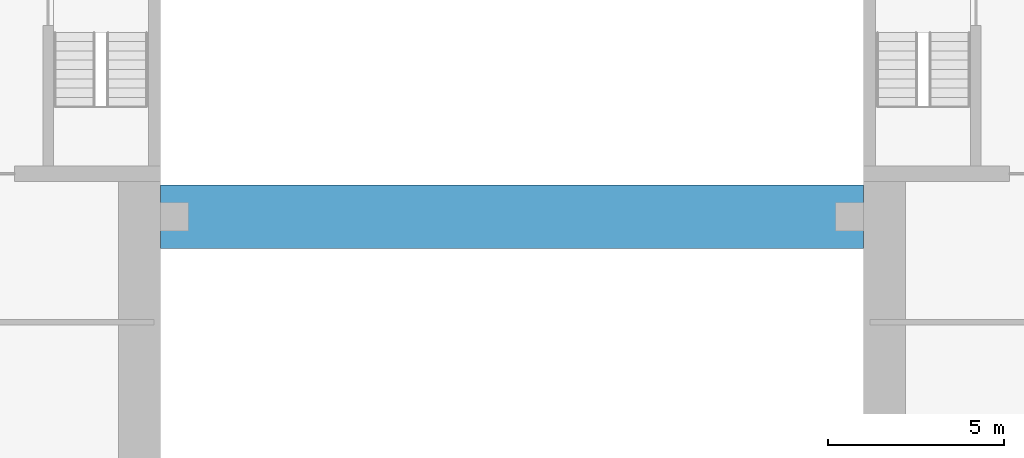
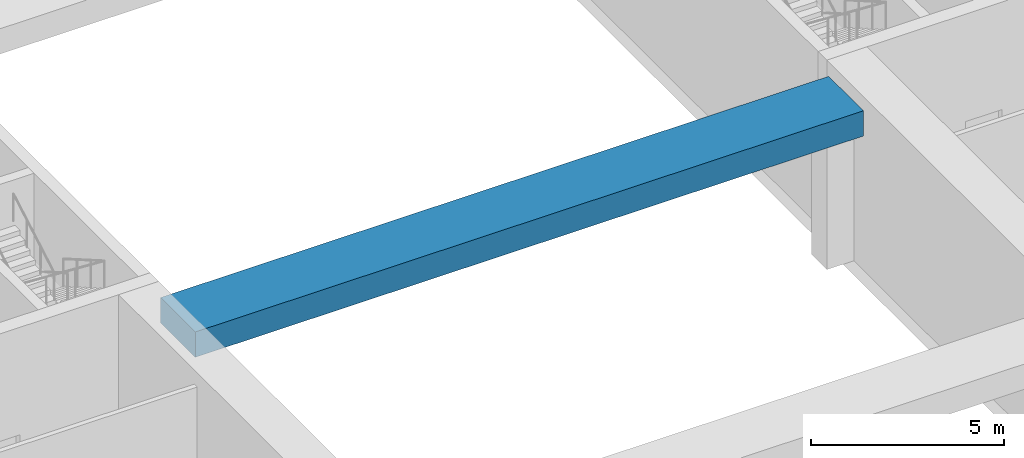
# One storey, part 8 of 30: 1 beam.
"""IFC4 building model written with IfcOpenShell, lengths in metres."""

from ifc_helpers import new_model, si_unit, direction, frame, origin, origin_2d, place, context, subcontext, project, spatial, rectangle, extrude, material, material_profile, profile_set, type_object, element, save


model = new_model("IFC4")

# Units and contexts
model_context = context("Model", 3, precision=1e-05, world=origin(), true_north=direction((0.0, 1.0)))
body_context = subcontext(model_context, "Body", "Model", "MODEL_VIEW")
ifc_project = project(units=[si_unit("LENGTHUNIT", "METRE"), si_unit("AREAUNIT", "SQUARE_METRE"), si_unit("VOLUMEUNIT", "CUBIC_METRE"), si_unit("PLANEANGLEUNIT", "RADIAN"), si_unit("MASSUNIT", "GRAM", prefix="KILO")], contexts=[model_context])

# Site, building, storey
site_placement = place(None, origin())
site = spatial("IfcSite", under=ifc_project, at=site_placement, CompositionType="ELEMENT")
building_placement = place(site_placement, origin())
building = spatial("IfcBuilding", under=site, at=building_placement, Name="Torana Hotel and Residences", CompositionType="ELEMENT")
storey_placement = place(building_placement, frame((0.0, 0.0, 12.5)))
storey = spatial("IfcBuildingStorey", under=building, at=storey_placement, Name="L02", CompositionType="ELEMENT", Elevation=12.5)

# Beam
ifc_material = material(Name="Concrete C60/75", Category="concrete")
ifc_material_profile = material_profile(ifc_material, rectangle(XDim=1.800048828125, YDim=0.800048828125, at=origin_2d()), Name="RC 1800x800")
ifc_profile_set = profile_set([ifc_material_profile], Name="Concrete C60/75")
beam_type = type_object("IfcBeamType", Name="ARCH BEAM RC 1800x800 C60/75", PredefinedType="BEAM", material=ifc_profile_set)
beam_placement = place(storey_placement, frame((-10.0, -16.0, 4.64990234375), z_axis=(1.0, 0.0, 0.0), x_axis=(0.0, 1.0, 0.0)))
element("IfcBeam", 1, at=beam_placement, inside=storey, type_object=beam_type, Name="Arch beam 3", PredefinedType="BEAM", context=body_context, shape_type="SweptSolid", body=[
    extrude(rectangle(XDim=1.800048828125, YDim=0.800048828125, at=origin_2d()), origin(), (0.0, 0.0, 1.0), 20.0),
])

save(model, "model.ifc")
